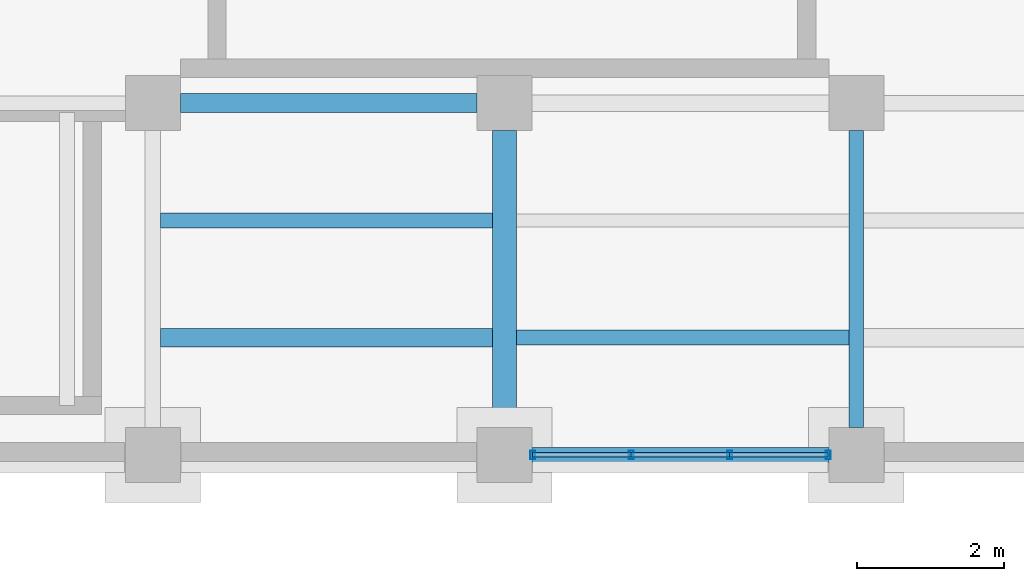
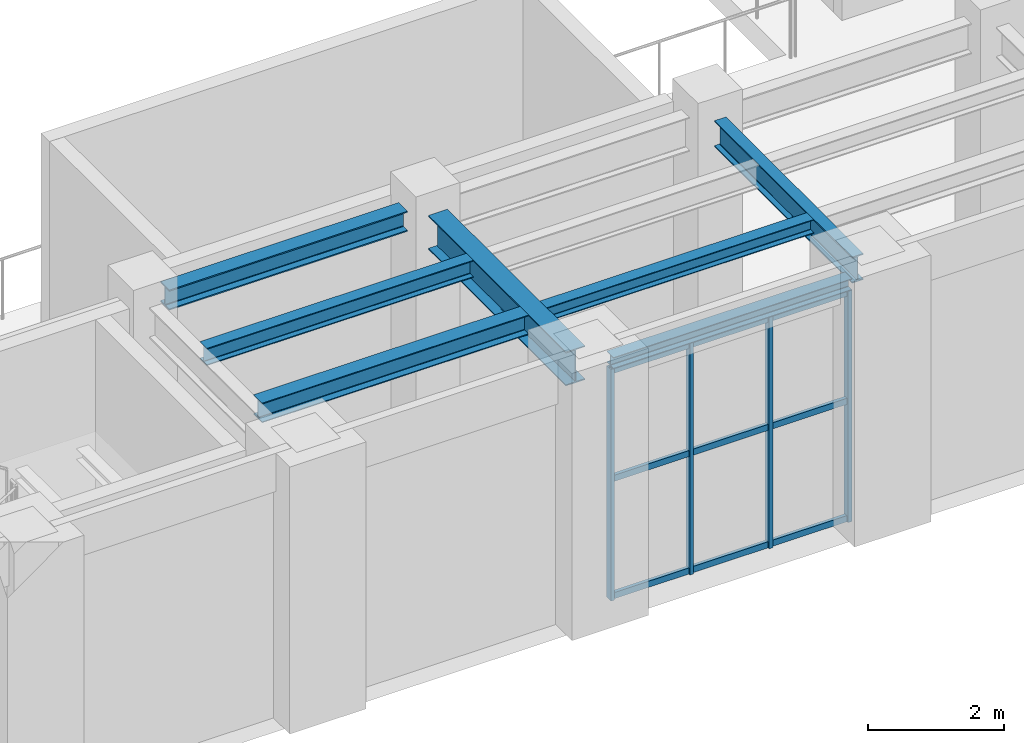
# One storey, part 7 of 83: 13 members, 7 beams, 1 element without a shape of its own.
"""IFC4 building model written with IfcOpenShell, lengths in metres."""

from ifc_helpers import new_model, si_unit, direction, frame, origin, origin_2d, place, context, subcontext, project, spatial, hollow_rectangle, i_section, extrude, material, material_profile, profile_set, type_object, element, aggregate, save


model = new_model("IFC4")

# Units and contexts
model_context = context("Model", 3, precision=1e-05, world=origin(), true_north=direction((0.0, 1.0)))
body_context = subcontext(model_context, "Body", "Model", "MODEL_VIEW")
ifc_project = project(units=[si_unit("LENGTHUNIT", "METRE"), si_unit("AREAUNIT", "SQUARE_METRE"), si_unit("VOLUMEUNIT", "CUBIC_METRE"), si_unit("PLANEANGLEUNIT", "RADIAN"), si_unit("MASSUNIT", "GRAM", prefix="KILO")], contexts=[model_context])

# Site, building, storey
site_placement = place(None, origin())
site = spatial("IfcSite", under=ifc_project, at=site_placement, CompositionType="ELEMENT")
building_placement = place(site_placement, origin())
building = spatial("IfcBuilding", under=site, at=building_placement, Name="Mavantir Sound Aquarium", CompositionType="ELEMENT")
storey_placement = place(building_placement, frame((0.0, 0.0, 10.5)))
storey = spatial("IfcBuildingStorey", under=building, at=storey_placement, Name="L02", CompositionType="ELEMENT", Elevation=10.5)

# Beams
ifc_material_1 = material(Name="Structural Steel ASTM A992 Gr50", Category="steel")
ifc_material_profile_1 = material_profile(ifc_material_1, i_section(OverallWidth=0.202880859375, OverallDepth=0.202880859375, WebThickness=0.007080078125, FlangeThickness=0.010986328125, FilletRadius=0.010009765625, at=origin_2d()), Name="W200X46")
ifc_profile_set_1 = profile_set([ifc_material_profile_1], Name="Structural Steel ASTM A992 Gr50")
beam_type_1 = type_object("IfcBeamType", Name="BM-W200X46-E", PredefinedType="LINTEL", material=ifc_profile_set_1)
beam_1_placement = place(storey_placement, frame((14.77490234375, 40.800048828125, 4.29443359375), z_axis=(1.0, 0.0, 0.0), x_axis=(0.0, 1.0, 0.0)))
element("IfcBeam", 1, at=beam_1_placement, inside=storey, type_object=beam_type_1, Name="L02 primary beam SL-20 1422", PredefinedType="LINTEL", context=body_context, shape_type="SweptSolid", body=[
    extrude(i_section(OverallWidth=0.202880859375, OverallDepth=0.202880859375, WebThickness=0.007080078125, FlangeThickness=0.010986328125, FilletRadius=0.010009765625, at=origin_2d()), origin(), (0.0, 0.0, 1.0), 4.050048828125),
])
ifc_material_profile_2 = material_profile(ifc_material_1, i_section(OverallWidth=0.202880859375, OverallDepth=0.251953125, WebThickness=0.008056640625, FlangeThickness=0.013427734375, FilletRadius=0.011962890625, at=origin_2d()), Name="W250X58")
ifc_profile_set_2 = profile_set([ifc_material_profile_2], Name="Structural Steel ASTM A992 Gr50")
beam_type_2 = type_object("IfcBeamType", Name="BM-W250X58-I", PredefinedType="JOIST", material=ifc_profile_set_2)
beam_2_placement = place(storey_placement, frame((14.56201171875, 42.39990234375, 4.27001953125), z_axis=(1.0, 0.0, 0.0), x_axis=(0.0, 1.0, 0.0)))
element("IfcBeam", 2, at=beam_2_placement, inside=storey, type_object=beam_type_2, Name="L02 secondary floor joist SJ-25 848", PredefinedType="JOIST", context=body_context, shape_type="SweptSolid", body=[
    extrude(i_section(OverallWidth=0.202880859375, OverallDepth=0.251953125, WebThickness=0.008056640625, FlangeThickness=0.013427734375, FilletRadius=0.011962890625, at=origin_2d()), origin(), (0.0, 0.0, 1.0), 4.541015625),
])
ifc_material_profile_3 = material_profile(ifc_material_1, i_section(OverallWidth=0.205078125, OverallDepth=0.31005859375, WebThickness=0.009521484375, FlangeThickness=0.016357421875, FilletRadius=0.012939453125, at=origin_2d()), Name="W310X74")
ifc_profile_set_3 = profile_set([ifc_material_profile_3], Name="Structural Steel ASTM A992 Gr50")
beam_type_3 = type_object("IfcBeamType", Name="BM-W310X74-I", PredefinedType="JOIST", material=ifc_profile_set_3)
beam_3_placement = place(storey_placement, frame((9.7060546875, 44.0, 4.240966796875), z_axis=(1.0, 0.0, 0.0), x_axis=(0.0, 1.0, 0.0)))
element("IfcBeam", 3, at=beam_3_placement, inside=storey, type_object=beam_type_3, Name="L02 secondary floor joist SJ-31 847", PredefinedType="JOIST", context=body_context, shape_type="SweptSolid", body=[
    extrude(i_section(OverallWidth=0.205078125, OverallDepth=0.31005859375, WebThickness=0.009521484375, FlangeThickness=0.016357421875, FilletRadius=0.012939453125, at=origin_2d()), origin(), (0.0, 0.0, 1.0), 4.531982421875),
])
ifc_material_profile_4 = material_profile(ifc_material_1, i_section(OverallWidth=0.257080078125, OverallDepth=0.363037109375, WebThickness=0.012939453125, FlangeThickness=0.021728515625, FilletRadius=0.014892578125, at=origin_2d()), Name="W360X122")
ifc_profile_set_4 = profile_set([ifc_material_profile_4], Name="Structural Steel ASTM A992 Gr50")
beam_type_4 = type_object("IfcBeamType", Name="BM-W360X122-I", PredefinedType="BEAM", material=ifc_profile_set_4)
beam_4_placement = place(storey_placement, frame((9.97509765625, 45.60009765625, 4.214599609375), z_axis=(1.0, 0.0, 0.0), x_axis=(0.0, 1.0, 0.0)))
element("IfcBeam", 4, at=beam_4_placement, inside=storey, type_object=beam_type_4, Name="L02 primary beam SB-36A 1428", PredefinedType="BEAM", context=body_context, shape_type="SweptSolid", body=[
    extrude(i_section(OverallWidth=0.257080078125, OverallDepth=0.363037109375, WebThickness=0.012939453125, FlangeThickness=0.021728515625, FilletRadius=0.014892578125, at=origin_2d()), origin(), (0.0, 0.0, 1.0), 4.0498046875),
])
ifc_material_profile_5 = material_profile(ifc_material_1, i_section(OverallWidth=0.25390625, OverallDepth=0.35302734375, WebThickness=0.009521484375, FlangeThickness=0.016357421875, FilletRadius=0.014892578125, at=origin_2d()), Name="W360X91")
ifc_profile_set_5 = profile_set([ifc_material_profile_5], Name="Structural Steel ASTM A992 Gr50")
beam_type_5 = type_object("IfcBeamType", Name="BM-W360X91-I", PredefinedType="JOIST", material=ifc_profile_set_5)
beam_5_placement = place(storey_placement, frame((9.7060546875, 42.39990234375, 4.219482421875), z_axis=(1.0, 0.0, 0.0), x_axis=(0.0, 1.0, 0.0)))
element("IfcBeam", 5, at=beam_5_placement, inside=storey, type_object=beam_type_5, Name="L02 secondary floor joist SJ-36 846", PredefinedType="JOIST", context=body_context, shape_type="SweptSolid", body=[
    extrude(i_section(OverallWidth=0.25390625, OverallDepth=0.35302734375, WebThickness=0.009521484375, FlangeThickness=0.016357421875, FilletRadius=0.014892578125, at=origin_2d()), origin(), (0.0, 0.0, 1.0), 4.531982421875),
])
ifc_material_profile_6 = material_profile(ifc_material_1, i_section(OverallWidth=0.194091796875, OverallDepth=0.468994140625, WebThickness=0.0126953125, FlangeThickness=0.0205078125, FilletRadius=0.01611328125, at=origin_2d()), Name="W460X106")
ifc_profile_set_6 = profile_set([ifc_material_profile_6], Name="Structural Steel ASTM A992 Gr50")
beam_type_6 = type_object("IfcBeamType", Name="BM-W460X106-I", PredefinedType="BEAM", material=ifc_profile_set_6)
beam_6_placement = place(storey_placement, frame((19.199951171875, 41.175048828125, 4.16162109375), z_axis=(0.0, 1.0, 0.0), x_axis=(-1.0, 0.0, 0.0)))
element("IfcBeam", 6, at=beam_6_placement, inside=storey, type_object=beam_type_6, Name="L02 primary girder SB-46 1464", PredefinedType="BEAM", context=body_context, shape_type="SweptSolid", body=[
    extrude(i_section(OverallWidth=0.194091796875, OverallDepth=0.468994140625, WebThickness=0.0126953125, FlangeThickness=0.0205078125, FilletRadius=0.01611328125, at=origin_2d()), origin(), (0.0, 0.0, 1.0), 4.050048828125),
])
ifc_material_profile_7 = material_profile(ifc_material_1, i_section(OverallWidth=0.323974609375, OverallDepth=0.611083984375, WebThickness=0.0126953125, FlangeThickness=0.01904296875, FilletRadius=0.01904296875, at=origin_2d()), Name="W610X155")
ifc_profile_set_7 = profile_set([ifc_material_profile_7], Name="Structural Steel ASTM A992 Gr50")
beam_type_7 = type_object("IfcBeamType", Name="BM-W610X155-I", PredefinedType="BEAM", material=ifc_profile_set_7)
beam_7_placement = place(storey_placement, frame((14.39990234375, 41.175048828125, 4.090576171875), z_axis=(0.0, 1.0, 0.0), x_axis=(-1.0, 0.0, 0.0)))
element("IfcBeam", 7, at=beam_7_placement, inside=storey, type_object=beam_type_7, Name="L02 primary girder SB-61A 1462", PredefinedType="BEAM", context=body_context, shape_type="SweptSolid", body=[
    extrude(i_section(OverallWidth=0.323974609375, OverallDepth=0.611083984375, WebThickness=0.0126953125, FlangeThickness=0.01904296875, FilletRadius=0.01904296875, at=origin_2d()), origin(), (0.0, 0.0, 1.0), 4.050048828125),
])

# Curtain wall, members
ifc_material_2 = material(Name="Anodised Marine Aluminium and Low-E Glass", Category="aluminium")
curtain_wall_type = type_object("IfcCurtainWallType", Name="CW-T04", PredefinedType="USERDEFINED", material=ifc_material_2)
curtain_wall_placement = place(storey_placement, origin())
curtain_wall = element("IfcCurtainWall", 8, at=curtain_wall_placement, inside=storey, type_object=curtain_wall_type, Name="L02 unitised curtain wall CW-04 124", ObjectType="UNITISED GLAZING", PredefinedType="USERDEFINED")
ifc_material_3 = material(Name="Anodised Marine Aluminium 6063-T6", Category="aluminium")
ifc_material_profile_8 = material_profile(ifc_material_3, hollow_rectangle(XDim=0.06494140625, YDim=0.1201171875, WallThickness=0.00390625, at=origin_2d()), Name="ALU-MULLION-120X65")
ifc_profile_set_8 = profile_set([ifc_material_profile_8], Name="Anodised Marine Aluminium 6063-T6")
member_type_1 = type_object("IfcMemberType", Name="CW-MUL-120", PredefinedType="MULLION", material=ifc_profile_set_8)
member_1_placement = place(storey_placement, frame((14.782958984375, 40.800048828125, 0.0), z_axis=(0.0, 0.0, 1.0), x_axis=(1.0, 0.0, 0.0)))
member_1 = element("IfcMember", 9, at=member_1_placement, type_object=member_type_1, Name="CW-L02-124 vertical mullion 1", PredefinedType="MULLION", context=body_context, shape_type="SweptSolid", body=[
    extrude(hollow_rectangle(XDim=0.06494140625, YDim=0.1201171875, WallThickness=0.00390625, at=origin_2d()), origin(), (0.0, 0.0, 1.0), 4.1630859375),
])
member_2_placement = place(storey_placement, frame((16.127685546875, 40.800048828125, 0.0), z_axis=(0.0, 0.0, 1.0), x_axis=(1.0, 0.0, 0.0)))
member_2 = element("IfcMember", 10, at=member_2_placement, type_object=member_type_1, Name="CW-L02-124 vertical mullion 2", PredefinedType="MULLION", context=body_context, shape_type="SweptSolid", body=[
    extrude(hollow_rectangle(XDim=0.06494140625, YDim=0.1201171875, WallThickness=0.00390625, at=origin_2d()), origin(), (0.0, 0.0, 1.0), 4.1630859375),
])
member_3_placement = place(storey_placement, frame((17.472412109375, 40.800048828125, 0.0), z_axis=(0.0, 0.0, 1.0), x_axis=(1.0, 0.0, 0.0)))
member_3 = element("IfcMember", 11, at=member_3_placement, type_object=member_type_1, Name="CW-L02-124 vertical mullion 3", PredefinedType="MULLION", context=body_context, shape_type="SweptSolid", body=[
    extrude(hollow_rectangle(XDim=0.06494140625, YDim=0.1201171875, WallThickness=0.00390625, at=origin_2d()), origin(), (0.0, 0.0, 1.0), 4.1630859375),
])
member_4_placement = place(storey_placement, frame((18.81689453125, 40.800048828125, 0.0), z_axis=(0.0, 0.0, 1.0), x_axis=(1.0, 0.0, 0.0)))
member_4 = element("IfcMember", 12, at=member_4_placement, type_object=member_type_1, Name="CW-L02-124 vertical mullion 4", PredefinedType="MULLION", context=body_context, shape_type="SweptSolid", body=[
    extrude(hollow_rectangle(XDim=0.06494140625, YDim=0.1201171875, WallThickness=0.00390625, at=origin_2d()), origin(), (0.0, 0.0, 1.0), 4.1630859375),
])
ifc_material_profile_9 = material_profile(ifc_material_3, hollow_rectangle(XDim=0.06005859375, YDim=0.110107421875, WallThickness=0.00390625, at=origin_2d()), Name="ALU-TRANSOM-110X60")
ifc_profile_set_9 = profile_set([ifc_material_profile_9], Name="Anodised Marine Aluminium 6063-T6")
member_type_2 = type_object("IfcMemberType", Name="CW-TRN-110", PredefinedType="USERDEFINED", material=ifc_profile_set_9)
member_5_placement = place(storey_placement, frame((14.782958984375, 40.800048828125, 0.054931640625), z_axis=(1.0, 0.0, 0.0), x_axis=(0.0, 1.0, 0.0)))
member_5 = element("IfcMember", 13, at=member_5_placement, type_object=member_type_2, Name="CW-L02-124 transom 1.1", ObjectType="TRANSOM", PredefinedType="USERDEFINED", context=body_context, shape_type="SweptSolid", body=[
    extrude(hollow_rectangle(XDim=0.06005859375, YDim=0.110107421875, WallThickness=0.00390625, at=origin_2d()), origin(), (0.0, 0.0, 1.0), 1.3447265625),
])
member_6_placement = place(storey_placement, frame((14.782958984375, 40.800048828125, 2.164794921875), z_axis=(1.0, 0.0, 0.0), x_axis=(0.0, 1.0, 0.0)))
member_6 = element("IfcMember", 14, at=member_6_placement, type_object=member_type_2, Name="CW-L02-124 transom 1.2", ObjectType="TRANSOM", PredefinedType="USERDEFINED", context=body_context, shape_type="SweptSolid", body=[
    extrude(hollow_rectangle(XDim=0.06005859375, YDim=0.110107421875, WallThickness=0.00390625, at=origin_2d()), origin(), (0.0, 0.0, 1.0), 1.3447265625),
])
member_7_placement = place(storey_placement, frame((14.782958984375, 40.800048828125, 4.10791015625), z_axis=(1.0, 0.0, 0.0), x_axis=(0.0, 1.0, 0.0)))
member_7 = element("IfcMember", 15, at=member_7_placement, type_object=member_type_2, Name="CW-L02-124 transom 1.3", ObjectType="TRANSOM", PredefinedType="USERDEFINED", context=body_context, shape_type="SweptSolid", body=[
    extrude(hollow_rectangle(XDim=0.06005859375, YDim=0.110107421875, WallThickness=0.00390625, at=origin_2d()), origin(), (0.0, 0.0, 1.0), 1.3447265625),
])
member_8_placement = place(storey_placement, frame((16.127685546875, 40.800048828125, 0.054931640625), z_axis=(1.0, 0.0, 0.0), x_axis=(0.0, 1.0, 0.0)))
member_8 = element("IfcMember", 16, at=member_8_placement, type_object=member_type_2, Name="CW-L02-124 transom 2.1", ObjectType="TRANSOM", PredefinedType="USERDEFINED", context=body_context, shape_type="SweptSolid", body=[
    extrude(hollow_rectangle(XDim=0.06005859375, YDim=0.110107421875, WallThickness=0.00390625, at=origin_2d()), origin(), (0.0, 0.0, 1.0), 1.3447265625),
])
member_9_placement = place(storey_placement, frame((16.127685546875, 40.800048828125, 2.164794921875), z_axis=(1.0, 0.0, 0.0), x_axis=(0.0, 1.0, 0.0)))
member_9 = element("IfcMember", 17, at=member_9_placement, type_object=member_type_2, Name="CW-L02-124 transom 2.2", ObjectType="TRANSOM", PredefinedType="USERDEFINED", context=body_context, shape_type="SweptSolid", body=[
    extrude(hollow_rectangle(XDim=0.06005859375, YDim=0.110107421875, WallThickness=0.00390625, at=origin_2d()), origin(), (0.0, 0.0, 1.0), 1.3447265625),
])
member_10_placement = place(storey_placement, frame((16.127685546875, 40.800048828125, 4.10791015625), z_axis=(1.0, 0.0, 0.0), x_axis=(0.0, 1.0, 0.0)))
member_10 = element("IfcMember", 18, at=member_10_placement, type_object=member_type_2, Name="CW-L02-124 transom 2.3", ObjectType="TRANSOM", PredefinedType="USERDEFINED", context=body_context, shape_type="SweptSolid", body=[
    extrude(hollow_rectangle(XDim=0.06005859375, YDim=0.110107421875, WallThickness=0.00390625, at=origin_2d()), origin(), (0.0, 0.0, 1.0), 1.3447265625),
])
member_11_placement = place(storey_placement, frame((17.472412109375, 40.800048828125, 0.054931640625), z_axis=(1.0, 0.0, 0.0), x_axis=(0.0, 1.0, 0.0)))
member_11 = element("IfcMember", 19, at=member_11_placement, type_object=member_type_2, Name="CW-L02-124 transom 3.1", ObjectType="TRANSOM", PredefinedType="USERDEFINED", context=body_context, shape_type="SweptSolid", body=[
    extrude(hollow_rectangle(XDim=0.06005859375, YDim=0.110107421875, WallThickness=0.00390625, at=origin_2d()), origin(), (0.0, 0.0, 1.0), 1.344482421875),
])
member_12_placement = place(storey_placement, frame((17.472412109375, 40.800048828125, 2.164794921875), z_axis=(1.0, 0.0, 0.0), x_axis=(0.0, 1.0, 0.0)))
member_12 = element("IfcMember", 20, at=member_12_placement, type_object=member_type_2, Name="CW-L02-124 transom 3.2", ObjectType="TRANSOM", PredefinedType="USERDEFINED", context=body_context, shape_type="SweptSolid", body=[
    extrude(hollow_rectangle(XDim=0.06005859375, YDim=0.110107421875, WallThickness=0.00390625, at=origin_2d()), origin(), (0.0, 0.0, 1.0), 1.344482421875),
])
member_13_placement = place(storey_placement, frame((17.472412109375, 40.800048828125, 4.10791015625), z_axis=(1.0, 0.0, 0.0), x_axis=(0.0, 1.0, 0.0)))
member_13 = element("IfcMember", 21, at=member_13_placement, type_object=member_type_2, Name="CW-L02-124 transom 3.3", ObjectType="TRANSOM", PredefinedType="USERDEFINED", context=body_context, shape_type="SweptSolid", body=[
    extrude(hollow_rectangle(XDim=0.06005859375, YDim=0.110107421875, WallThickness=0.00390625, at=origin_2d()), origin(), (0.0, 0.0, 1.0), 1.344482421875),
])
aggregate(curtain_wall, [member_1, member_2, member_3, member_4, member_5, member_6, member_7, member_8, member_9, member_10, member_11, member_12, member_13])

save(model, "model.ifc")
